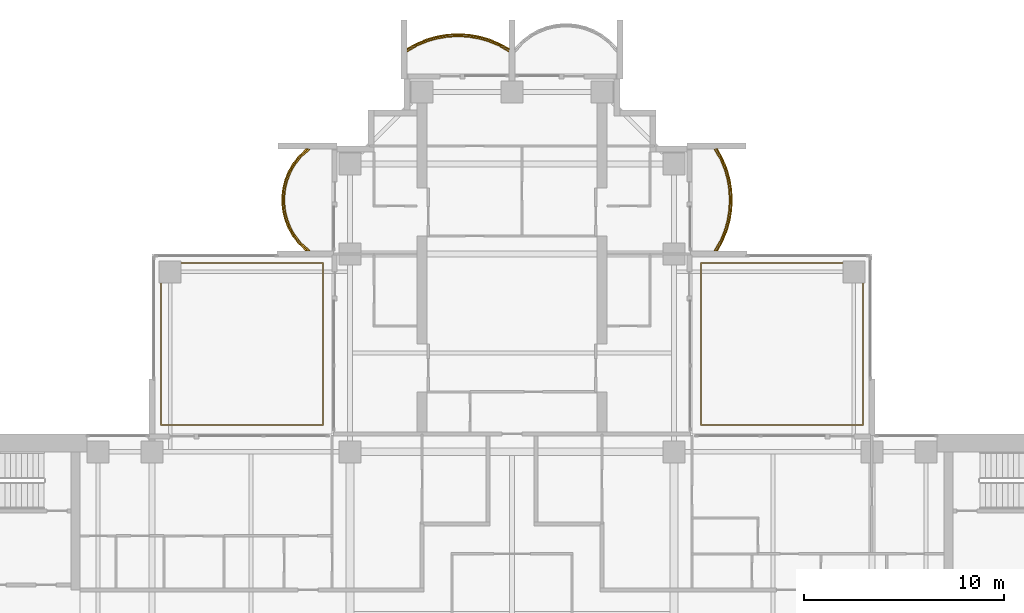
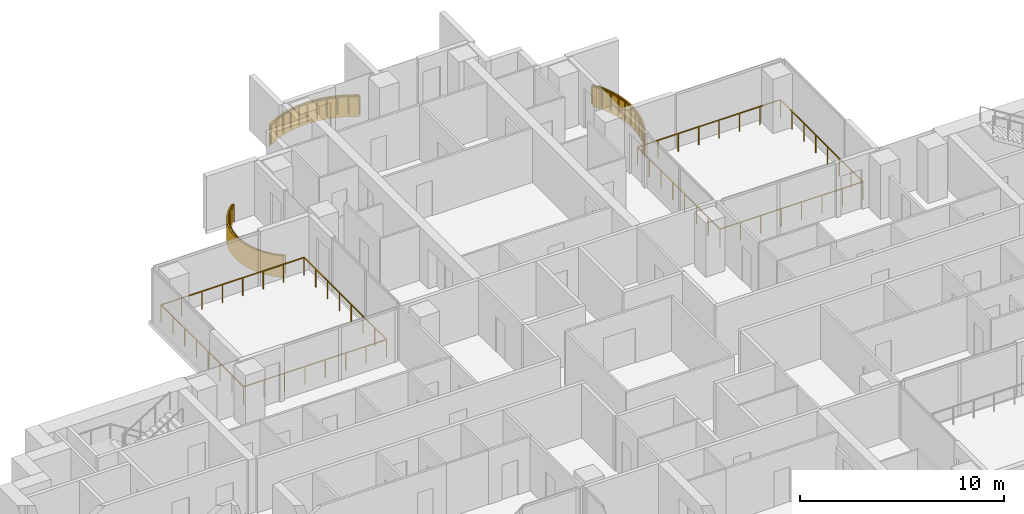
# One storey, part 18 of 19: 5 railings, 3 coverings.
"""IFC4 building model written with IfcOpenShell, lengths in metres."""

from ifc_helpers import new_model, si_unit, direction, frame, origin, origin_2d, place, context, subcontext, project, spatial, polyline, rectangle, outline, extrude, material, layer, layer_set, type_object, element, save


model = new_model("IFC4")

# Units and contexts
model_context = context("Model", 3, precision=1e-05, world=origin(), true_north=direction((0.0, 1.0)))
body_context = subcontext(model_context, "Body", "Model", "MODEL_VIEW")
ifc_project = project(units=[si_unit("LENGTHUNIT", "METRE"), si_unit("AREAUNIT", "SQUARE_METRE"), si_unit("VOLUMEUNIT", "CUBIC_METRE"), si_unit("PLANEANGLEUNIT", "RADIAN"), si_unit("MASSUNIT", "GRAM", prefix="KILO")], contexts=[model_context])

# Site, building, storey
site_placement = place(None, origin())
site = spatial("IfcSite", under=ifc_project, at=site_placement, CompositionType="ELEMENT")
building_placement = place(site_placement, origin())
building = spatial("IfcBuilding", under=site, at=building_placement, Name="Perihelion Cross Residences", CompositionType="ELEMENT")
storey_placement = place(building_placement, frame((0.0, 0.0, 144.39990234375)))
storey = spatial("IfcBuildingStorey", under=building, at=storey_placement, Name="L35", CompositionType="ELEMENT", Elevation=144.39990234375)

# Coverings
ifc_material_1 = material(Name="Bronze anodised aluminium", Category="aluminium")
ifc_layer = layer(ifc_material_1, 0.070068359375)
ifc_layer_set = layer_set([ifc_layer], Name="Balcony fascia 1300")
covering_type = type_object("IfcCoveringType", Name="Balcony fascia 1300", PredefinedType="CLADDING", material=ifc_layer_set)
covering_1_placement = place(storey_placement, frame((0.0, 0.0, -0.199951171875)))
element("IfcCovering", 1, at=covering_1_placement, inside=storey, type_object=covering_type, Name="Fascia BF1 L35 north side east bay 2", PredefinedType="CLADDING", context=body_context, shape_type="SweptSolid", body=[
    extrude(outline(polyline([(10.54833984375, 18.629638671875), (10.7607421875, 19.147216796875), (10.906494140625, 19.664794921875), (10.991943359375, 20.182373046875), (11.02001953125, 20.699951171875), (10.991943359375, 21.217529296875), (10.906494140625, 21.735107421875), (10.7607421875, 22.2529296875), (10.54833984375, 22.7705078125), (10.2802734375, 23.25), (10.199951171875, 23.25), (10.4853515625, 22.739990234375), (10.694580078125, 22.22998046875), (10.838134765625, 21.719970703125), (10.92236328125, 21.2099609375), (10.949951171875, 20.699951171875), (10.92236328125, 20.18994140625), (10.838134765625, 19.679931640625), (10.694580078125, 19.169921875), (10.4853515625, 18.659912109375), (10.199951171875, 18.14990234375), (10.2802734375, 18.14990234375), (10.54833984375, 18.629638671875)])), origin(), (0.0, 0.0, 1.0), 1.300048828125),
])
covering_2_placement = place(storey_placement, frame((0.0, 0.0, -0.199951171875)))
element("IfcCovering", 2, at=covering_2_placement, inside=storey, type_object=covering_type, Name="Fascia BF1 L35 north tip north bay 2", PredefinedType="CLADDING", context=body_context, shape_type="SweptSolid", body=[
    extrude(outline(polyline([(-0.629638671875, 28.54833984375), (-1.147216796875, 28.7607421875), (-1.664794921875, 28.906494140625), (-2.182373046875, 28.991943359375), (-2.699951171875, 29.02001953125), (-3.217529296875, 28.991943359375), (-3.735107421875, 28.906494140625), (-4.2529296875, 28.7607421875), (-4.7705078125, 28.54833984375), (-5.25, 28.2802734375), (-5.25, 28.199951171875), (-4.739990234375, 28.4853515625), (-4.22998046875, 28.694580078125), (-3.719970703125, 28.838134765625), (-3.2099609375, 28.92236328125), (-2.699951171875, 28.949951171875), (-2.18994140625, 28.92236328125), (-1.679931640625, 28.838134765625), (-1.169921875, 28.694580078125), (-0.659912109375, 28.4853515625), (-0.14990234375, 28.199951171875), (-0.14990234375, 28.2802734375), (-0.629638671875, 28.54833984375)])), origin(), (0.0, 0.0, 1.0), 1.300048828125),
])
covering_3_placement = place(storey_placement, frame((0.0, 0.0, -0.199951171875)))
element("IfcCovering", 3, at=covering_3_placement, inside=storey, type_object=covering_type, Name="Fascia BF1 L35 north side west bay 1", PredefinedType="CLADDING", context=body_context, shape_type="SweptSolid", body=[
    extrude(outline(polyline([(-10.674072265625, 22.90478515625), (-10.982666015625, 22.50390625), (-11.20654296875, 22.10302734375), (-11.364013671875, 21.7021484375), (-11.464599609375, 21.30126953125), (-11.513916015625, 20.900390625), (-11.513916015625, 20.49951171875), (-11.464599609375, 20.0986328125), (-11.364013671875, 19.69775390625), (-11.20654296875, 19.296875), (-10.982666015625, 18.89599609375), (-10.674072265625, 18.4951171875), (-10.302734375, 18.14990234375), (-10.199951171875, 18.14990234375), (-10.622314453125, 18.542236328125), (-10.924072265625, 18.9345703125), (-11.143310546875, 19.326904296875), (-11.29736328125, 19.71923828125), (-11.39599609375, 20.111572265625), (-11.444091796875, 20.50390625), (-11.444091796875, 20.896240234375), (-11.39599609375, 21.28857421875), (-11.29736328125, 21.6806640625), (-11.143310546875, 22.072998046875), (-10.924072265625, 22.46533203125), (-10.622314453125, 22.857666015625), (-10.199951171875, 23.25), (-10.302734375, 23.25), (-10.674072265625, 22.90478515625)])), origin(), (0.0, 0.0, 1.0), 1.300048828125),
])

# Railings
ifc_material_2 = material(Name="Bronze anodised aluminium", Category="aluminium")
railing_type = type_object("IfcRailingType", Name="Balcony guard 1100", PredefinedType="GUARDRAIL", material=ifc_material_2)
railing_1_placement = place(storey_placement, frame((10.139892578125, 18.175048828125, 0.0)))
element("IfcRailing", 4, at=railing_1_placement, inside=storey, type_object=railing_type, Name="Guard GU1 L35 north side east bay 2 balcony", PredefinedType="GUARDRAIL", context=body_context, shape_type="SweptSolid", body=[
    extrude(rectangle(XDim=0.048095703125, YDim=0.048095703125, at=origin_2d()), frame((0.0, 0.0, 1.076171875), z_axis=(0.507266632806, 0.861789164031, 0.0), x_axis=(-0.861789164031, 0.507266632806, 0.0)), (0.0, 0.0, 1.0), 0.562744140625),
    extrude(rectangle(XDim=0.048095703125, YDim=0.048095703125, at=origin_2d()), frame((0.285400390625, 0.48486328125, 1.076171875), z_axis=(0.379546636342, 0.925172605972, 0.0), x_axis=(-0.925172605972, 0.379546636342, 0.0)), (0.0, 0.0, 1.0), 0.55126953125),
    extrude(rectangle(XDim=0.048095703125, YDim=0.048095703125, at=origin_2d()), frame((0.49462890625, 0.994873046875, 1.076171875), z_axis=(0.271372618732, 0.962474364231, 0.0), x_axis=(-0.962474364231, 0.271372618732, 0.0)), (0.0, 0.0, 1.0), 0.52978515625),
    extrude(rectangle(XDim=0.048095703125, YDim=0.048095703125, at=origin_2d()), frame((0.638427734375, 1.5048828125, 1.076171875), z_axis=(0.162483799314, 0.986711211531, 0.0), x_axis=(-0.986711211531, 0.162483799314, 0.0)), (0.0, 0.0, 1.0), 0.516845703125),
    extrude(rectangle(XDim=0.048095703125, YDim=0.048095703125, at=origin_2d()), frame((0.722412109375, 2.014892578125, 1.076171875), z_axis=(0.05401390175, 0.998540183677, 0.0), x_axis=(-0.998540183677, 0.05401390175, 0.0)), (0.0, 0.0, 1.0), 0.5107421875),
    extrude(rectangle(XDim=0.048095703125, YDim=0.048095703125, at=origin_2d()), frame((0.75, 2.52490234375, 1.076171875), z_axis=(-0.05401390175, 0.998540183677, 0.0), x_axis=(-0.998540183677, -0.05401390175, 0.0)), (0.0, 0.0, 1.0), 0.5107421875),
    extrude(rectangle(XDim=0.048095703125, YDim=0.048095703125, at=origin_2d()), frame((0.722412109375, 3.034912109375, 1.076171875), z_axis=(-0.162483799314, 0.986711211531, 0.0), x_axis=(-0.986711211531, -0.162483799314, 0.0)), (0.0, 0.0, 1.0), 0.516845703125),
    extrude(rectangle(XDim=0.048095703125, YDim=0.048095703125, at=origin_2d()), frame((0.638427734375, 3.544921875, 1.076171875), z_axis=(-0.271372618732, 0.962474364231, 0.0), x_axis=(-0.962474364231, -0.271372618732, 0.0)), (0.0, 0.0, 1.0), 0.52978515625),
    extrude(rectangle(XDim=0.048095703125, YDim=0.048095703125, at=origin_2d()), frame((0.49462890625, 4.054931640625, 1.076171875), z_axis=(-0.379546636342, 0.925172605972, 0.0), x_axis=(-0.925172605972, -0.379546636342, 0.0)), (0.0, 0.0, 1.0), 0.55126953125),
    extrude(rectangle(XDim=0.048095703125, YDim=0.048095703125, at=origin_2d()), frame((0.285400390625, 4.56494140625, 1.076171875), z_axis=(-0.507076995033, 0.861900760591, 0.0), x_axis=(-0.861900760591, -0.507076995033, 0.0)), (0.0, 0.0, 1.0), 0.562744140625),
    extrude(rectangle(XDim=0.0419921875, YDim=0.0419921875, at=origin_2d()), origin(), (0.0, 0.0, 1.0), 1.052001953125),
    extrude(rectangle(XDim=0.0419921875, YDim=0.0419921875, at=origin_2d()), frame((0.285400390625, 0.48486328125, 0.0)), (0.0, 0.0, 1.0), 1.052001953125),
    extrude(rectangle(XDim=0.0419921875, YDim=0.0419921875, at=origin_2d()), frame((0.49462890625, 0.994873046875, 0.0)), (0.0, 0.0, 1.0), 1.052001953125),
    extrude(rectangle(XDim=0.0419921875, YDim=0.0419921875, at=origin_2d()), frame((0.638427734375, 1.5048828125, 0.0)), (0.0, 0.0, 1.0), 1.052001953125),
    extrude(rectangle(XDim=0.0419921875, YDim=0.0419921875, at=origin_2d()), frame((0.722412109375, 2.014892578125, 0.0)), (0.0, 0.0, 1.0), 1.052001953125),
    extrude(rectangle(XDim=0.0419921875, YDim=0.0419921875, at=origin_2d()), frame((0.75, 2.52490234375, 0.0)), (0.0, 0.0, 1.0), 1.052001953125),
    extrude(rectangle(XDim=0.0419921875, YDim=0.0419921875, at=origin_2d()), frame((0.722412109375, 3.034912109375, 0.0)), (0.0, 0.0, 1.0), 1.052001953125),
    extrude(rectangle(XDim=0.0419921875, YDim=0.0419921875, at=origin_2d()), frame((0.638427734375, 3.544921875, 0.0)), (0.0, 0.0, 1.0), 1.052001953125),
    extrude(rectangle(XDim=0.0419921875, YDim=0.0419921875, at=origin_2d()), frame((0.49462890625, 4.054931640625, 0.0)), (0.0, 0.0, 1.0), 1.052001953125),
    extrude(rectangle(XDim=0.0419921875, YDim=0.0419921875, at=origin_2d()), frame((0.285400390625, 4.56494140625, 0.0)), (0.0, 0.0, 1.0), 1.052001953125),
    extrude(rectangle(XDim=0.0419921875, YDim=0.0419921875, at=origin_2d()), frame((0.0, 5.050048828125, 0.0)), (0.0, 0.0, 1.0), 1.052001953125),
])
railing_2_placement = place(storey_placement, frame((-0.175048828125, 28.139892578125, 0.0)))
element("IfcRailing", 5, at=railing_2_placement, inside=storey, type_object=railing_type, Name="Guard GU1 L35 north tip north bay 2 balcony", PredefinedType="GUARDRAIL", context=body_context, shape_type="SweptSolid", body=[
    extrude(rectangle(XDim=0.048095703125, YDim=0.048095703125, at=origin_2d()), frame((0.0, 0.0, 1.076171875), z_axis=(-0.861789164031, 0.507266632806, 0.0), x_axis=(-0.507266632806, -0.861789164031, 0.0)), (0.0, 0.0, 1.0), 0.562744140625),
    extrude(rectangle(XDim=0.048095703125, YDim=0.048095703125, at=origin_2d()), frame((-0.48486328125, 0.285400390625, 1.076171875), z_axis=(-0.925172605972, 0.379546636342, 0.0), x_axis=(-0.379546636342, -0.925172605972, 0.0)), (0.0, 0.0, 1.0), 0.55126953125),
    extrude(rectangle(XDim=0.048095703125, YDim=0.048095703125, at=origin_2d()), frame((-0.994873046875, 0.49462890625, 1.076171875), z_axis=(-0.962474364231, 0.271372618732, 0.0), x_axis=(-0.271372618732, -0.962474364231, 0.0)), (0.0, 0.0, 1.0), 0.52978515625),
    extrude(rectangle(XDim=0.048095703125, YDim=0.048095703125, at=origin_2d()), frame((-1.5048828125, 0.638427734375, 1.076171875), z_axis=(-0.986711211531, 0.162483799314, 0.0), x_axis=(-0.162483799314, -0.986711211531, 0.0)), (0.0, 0.0, 1.0), 0.516845703125),
    extrude(rectangle(XDim=0.048095703125, YDim=0.048095703125, at=origin_2d()), frame((-2.014892578125, 0.722412109375, 1.076171875), z_axis=(-0.998540183677, 0.05401390175, 0.0), x_axis=(-0.05401390175, -0.998540183677, 0.0)), (0.0, 0.0, 1.0), 0.5107421875),
    extrude(rectangle(XDim=0.048095703125, YDim=0.048095703125, at=origin_2d()), frame((-2.52490234375, 0.75, 1.076171875), z_axis=(-0.998540183677, -0.05401390175, 0.0), x_axis=(0.05401390175, -0.998540183677, 0.0)), (0.0, 0.0, 1.0), 0.5107421875),
    extrude(rectangle(XDim=0.048095703125, YDim=0.048095703125, at=origin_2d()), frame((-3.034912109375, 0.722412109375, 1.076171875), z_axis=(-0.986711211531, -0.162483799314, 0.0), x_axis=(0.162483799314, -0.986711211531, 0.0)), (0.0, 0.0, 1.0), 0.516845703125),
    extrude(rectangle(XDim=0.048095703125, YDim=0.048095703125, at=origin_2d()), frame((-3.544921875, 0.638427734375, 1.076171875), z_axis=(-0.962474364231, -0.271372618732, 0.0), x_axis=(0.271372618732, -0.962474364231, 0.0)), (0.0, 0.0, 1.0), 0.52978515625),
    extrude(rectangle(XDim=0.048095703125, YDim=0.048095703125, at=origin_2d()), frame((-4.054931640625, 0.49462890625, 1.076171875), z_axis=(-0.925172605972, -0.379546636342, 0.0), x_axis=(0.379546636342, -0.925172605972, 0.0)), (0.0, 0.0, 1.0), 0.55126953125),
    extrude(rectangle(XDim=0.048095703125, YDim=0.048095703125, at=origin_2d()), frame((-4.56494140625, 0.285400390625, 1.076171875), z_axis=(-0.861900760591, -0.507076995033, 0.0), x_axis=(0.507076995033, -0.861900760591, 0.0)), (0.0, 0.0, 1.0), 0.562744140625),
    extrude(rectangle(XDim=0.0419921875, YDim=0.0419921875, at=origin_2d()), origin(), (0.0, 0.0, 1.0), 1.052001953125),
    extrude(rectangle(XDim=0.0419921875, YDim=0.0419921875, at=origin_2d()), frame((-0.48486328125, 0.285400390625, 0.0)), (0.0, 0.0, 1.0), 1.052001953125),
    extrude(rectangle(XDim=0.0419921875, YDim=0.0419921875, at=origin_2d()), frame((-0.994873046875, 0.49462890625, 0.0)), (0.0, 0.0, 1.0), 1.052001953125),
    extrude(rectangle(XDim=0.0419921875, YDim=0.0419921875, at=origin_2d()), frame((-1.5048828125, 0.638427734375, 0.0)), (0.0, 0.0, 1.0), 1.052001953125),
    extrude(rectangle(XDim=0.0419921875, YDim=0.0419921875, at=origin_2d()), frame((-2.014892578125, 0.722412109375, 0.0)), (0.0, 0.0, 1.0), 1.052001953125),
    extrude(rectangle(XDim=0.0419921875, YDim=0.0419921875, at=origin_2d()), frame((-2.52490234375, 0.75, 0.0)), (0.0, 0.0, 1.0), 1.052001953125),
    extrude(rectangle(XDim=0.0419921875, YDim=0.0419921875, at=origin_2d()), frame((-3.034912109375, 0.722412109375, 0.0)), (0.0, 0.0, 1.0), 1.052001953125),
    extrude(rectangle(XDim=0.0419921875, YDim=0.0419921875, at=origin_2d()), frame((-3.544921875, 0.638427734375, 0.0)), (0.0, 0.0, 1.0), 1.052001953125),
    extrude(rectangle(XDim=0.0419921875, YDim=0.0419921875, at=origin_2d()), frame((-4.054931640625, 0.49462890625, 0.0)), (0.0, 0.0, 1.0), 1.052001953125),
    extrude(rectangle(XDim=0.0419921875, YDim=0.0419921875, at=origin_2d()), frame((-4.56494140625, 0.285400390625, 0.0)), (0.0, 0.0, 1.0), 1.052001953125),
    extrude(rectangle(XDim=0.0419921875, YDim=0.0419921875, at=origin_2d()), frame((-5.050048828125, 0.0, 0.0)), (0.0, 0.0, 1.0), 1.052001953125),
])
railing_3_placement = place(storey_placement, frame((-10.139892578125, 23.22509765625, 0.0)))
element("IfcRailing", 6, at=railing_3_placement, inside=storey, type_object=railing_type, Name="Guard GU1 L35 north side west bay 1 balcony", PredefinedType="GUARDRAIL", context=body_context, shape_type="SweptSolid", body=[
    extrude(rectangle(XDim=0.048095703125, YDim=0.048095703125, at=origin_2d()), frame((0.0, 0.0, 1.076171875), z_axis=(-0.754464673757, -0.656340655493, 0.0), x_axis=(0.656340655493, -0.754464673757, 0.0)), (0.0, 0.0, 1.0), 0.559814453125),
    extrude(rectangle(XDim=0.048095703125, YDim=0.048095703125, at=origin_2d()), frame((-0.42236328125, -0.367431640625, 1.076171875), z_axis=(-0.60966308455, -0.792660660899, 0.0), x_axis=(0.792660660899, -0.60966308455, 0.0)), (0.0, 0.0, 1.0), 0.494873046875),
    extrude(rectangle(XDim=0.048095703125, YDim=0.048095703125, at=origin_2d()), frame((-0.72412109375, -0.759765625, 1.076171875), z_axis=(-0.487809182674, -0.872950285698, 0.0), x_axis=(0.872950285698, -0.487809182674, 0.0)), (0.0, 0.0, 1.0), 0.449462890625),
    extrude(rectangle(XDim=0.048095703125, YDim=0.048095703125, at=origin_2d()), frame((-0.943359375, -1.152099609375, 1.076171875), z_axis=(-0.365491079925, -0.930814842219, 0.0), x_axis=(0.930814842219, -0.365491079925, 0.0)), (0.0, 0.0, 1.0), 0.42138671875),
    extrude(rectangle(XDim=0.048095703125, YDim=0.048095703125, at=origin_2d()), frame((-1.097412109375, -1.54443359375, 1.076171875), z_axis=(-0.243956193074, -0.969786252666, 0.0), x_axis=(0.969786252666, -0.243956193074, 0.0)), (0.0, 0.0, 1.0), 0.404296875),
    extrude(rectangle(XDim=0.048095703125, YDim=0.048095703125, at=origin_2d()), frame((-1.196044921875, -1.9365234375, 1.076171875), z_axis=(-0.121677797999, -0.992569651699, 0.0), x_axis=(0.992569651699, -0.121677797999, 0.0)), (0.0, 0.0, 1.0), 0.395263671875),
    extrude(rectangle(XDim=0.048095703125, YDim=0.048095703125, at=origin_2d()), frame((-1.244140625, -2.328857421875, 1.076171875), z_axis=(0.0, -1.0, 0.0), x_axis=(1.0, 0.0, 0.0)), (0.0, 0.0, 1.0), 0.392333984375),
    extrude(rectangle(XDim=0.048095703125, YDim=0.048095703125, at=origin_2d()), frame((-1.244140625, -2.72119140625, 1.076171875), z_axis=(0.121677797999, -0.992569651699, 0.0), x_axis=(0.992569651699, 0.121677797999, 0.0)), (0.0, 0.0, 1.0), 0.395263671875),
    extrude(rectangle(XDim=0.048095703125, YDim=0.048095703125, at=origin_2d()), frame((-1.196044921875, -3.113525390625, 1.076171875), z_axis=(0.243813411509, -0.969822159145, 0.0), x_axis=(0.969822159145, 0.243813411509, 0.0)), (0.0, 0.0, 1.0), 0.404541015625),
    extrude(rectangle(XDim=0.048095703125, YDim=0.048095703125, at=origin_2d()), frame((-1.097412109375, -3.505859375, 1.076171875), z_axis=(0.365491079925, -0.930814842219, 0.0), x_axis=(0.930814842219, 0.365491079925, 0.0)), (0.0, 0.0, 1.0), 0.42138671875),
    extrude(rectangle(XDim=0.048095703125, YDim=0.048095703125, at=origin_2d()), frame((-0.943359375, -3.898193359375, 1.076171875), z_axis=(0.487809182674, -0.872950285698, 0.0), x_axis=(0.872950285698, 0.487809182674, 0.0)), (0.0, 0.0, 1.0), 0.449462890625),
    extrude(rectangle(XDim=0.048095703125, YDim=0.048095703125, at=origin_2d()), frame((-0.72412109375, -4.29052734375, 1.076171875), z_axis=(0.60966308455, -0.792660660899, 0.0), x_axis=(0.792660660899, 0.60966308455, 0.0)), (0.0, 0.0, 1.0), 0.494873046875),
    extrude(rectangle(XDim=0.048095703125, YDim=0.048095703125, at=origin_2d()), frame((-0.42236328125, -4.682861328125, 1.076171875), z_axis=(0.754680648599, -0.656092309534, 0.0), x_axis=(0.656092309534, 0.754680648599, 0.0)), (0.0, 0.0, 1.0), 0.5595703125),
    extrude(rectangle(XDim=0.0419921875, YDim=0.0419921875, at=origin_2d()), origin(), (0.0, 0.0, 1.0), 1.052001953125),
    extrude(rectangle(XDim=0.0419921875, YDim=0.0419921875, at=origin_2d()), frame((-0.42236328125, -0.367431640625, 0.0)), (0.0, 0.0, 1.0), 1.052001953125),
    extrude(rectangle(XDim=0.0419921875, YDim=0.0419921875, at=origin_2d()), frame((-0.72412109375, -0.759765625, 0.0)), (0.0, 0.0, 1.0), 1.052001953125),
    extrude(rectangle(XDim=0.0419921875, YDim=0.0419921875, at=origin_2d()), frame((-0.943359375, -1.152099609375, 0.0)), (0.0, 0.0, 1.0), 1.052001953125),
    extrude(rectangle(XDim=0.0419921875, YDim=0.0419921875, at=origin_2d()), frame((-1.097412109375, -1.54443359375, 0.0)), (0.0, 0.0, 1.0), 1.052001953125),
    extrude(rectangle(XDim=0.0419921875, YDim=0.0419921875, at=origin_2d()), frame((-1.196044921875, -1.9365234375, 0.0)), (0.0, 0.0, 1.0), 1.052001953125),
    extrude(rectangle(XDim=0.0419921875, YDim=0.0419921875, at=origin_2d()), frame((-1.244140625, -2.328857421875, 0.0)), (0.0, 0.0, 1.0), 1.052001953125),
    extrude(rectangle(XDim=0.0419921875, YDim=0.0419921875, at=origin_2d()), frame((-1.244140625, -2.72119140625, 0.0)), (0.0, 0.0, 1.0), 1.052001953125),
    extrude(rectangle(XDim=0.0419921875, YDim=0.0419921875, at=origin_2d()), frame((-1.196044921875, -3.113525390625, 0.0)), (0.0, 0.0, 1.0), 1.052001953125),
    extrude(rectangle(XDim=0.0419921875, YDim=0.0419921875, at=origin_2d()), frame((-1.097412109375, -3.505859375, 0.0)), (0.0, 0.0, 1.0), 1.052001953125),
    extrude(rectangle(XDim=0.0419921875, YDim=0.0419921875, at=origin_2d()), frame((-0.943359375, -3.898193359375, 0.0)), (0.0, 0.0, 1.0), 1.052001953125),
    extrude(rectangle(XDim=0.0419921875, YDim=0.0419921875, at=origin_2d()), frame((-0.72412109375, -4.29052734375, 0.0)), (0.0, 0.0, 1.0), 1.052001953125),
    extrude(rectangle(XDim=0.0419921875, YDim=0.0419921875, at=origin_2d()), frame((-0.42236328125, -4.682861328125, 0.0)), (0.0, 0.0, 1.0), 1.052001953125),
    extrude(rectangle(XDim=0.0419921875, YDim=0.0419921875, at=origin_2d()), frame((0.0, -5.050048828125, 0.0)), (0.0, 0.0, 1.0), 1.052001953125),
])
railing_4_placement = place(storey_placement, frame((17.550048828125, 9.449951171875, 0.0)))
element("IfcRailing", 7, at=railing_4_placement, inside=storey, type_object=railing_type, Name="Guard GU1 L35 pocket north-east 1", PredefinedType="GUARDRAIL", context=body_context, shape_type="SweptSolid", body=[
    extrude(rectangle(XDim=0.048095703125, YDim=0.048095703125, at=origin_2d()), frame((0.0, 0.0, 1.076171875), z_axis=(-1.0, 0.0, 0.0), x_axis=(0.0, -1.0, 0.0)), (0.0, 0.0, 1.0), 8.10009765625),
    extrude(rectangle(XDim=0.048095703125, YDim=0.048095703125, at=origin_2d()), frame((-8.10009765625, 0.0, 1.076171875), z_axis=(0.0, 1.0, 0.0), x_axis=(-1.0, 0.0, 0.0)), (0.0, 0.0, 1.0), 8.10009765625),
    extrude(rectangle(XDim=0.048095703125, YDim=0.048095703125, at=origin_2d()), frame((-8.10009765625, 8.10009765625, 1.076171875), z_axis=(1.0, 0.0, 0.0), x_axis=(0.0, 1.0, 0.0)), (0.0, 0.0, 1.0), 8.10009765625),
    extrude(rectangle(XDim=0.048095703125, YDim=0.048095703125, at=origin_2d()), frame((0.0, 8.10009765625, 1.076171875), z_axis=(0.0, -1.0, 0.0), x_axis=(1.0, 0.0, 0.0)), (0.0, 0.0, 1.0), 8.10009765625),
    extrude(rectangle(XDim=0.0419921875, YDim=0.0419921875, at=origin_2d()), origin(), (0.0, 0.0, 1.0), 1.052001953125),
    extrude(rectangle(XDim=0.0419921875, YDim=0.0419921875, at=origin_2d()), frame((-1.1572265625, 0.0, 0.0)), (0.0, 0.0, 1.0), 1.052001953125),
    extrude(rectangle(XDim=0.0419921875, YDim=0.0419921875, at=origin_2d()), frame((-2.314208984375, 0.0, 0.0)), (0.0, 0.0, 1.0), 1.052001953125),
    extrude(rectangle(XDim=0.0419921875, YDim=0.0419921875, at=origin_2d()), frame((-3.471435546875, 0.0, 0.0)), (0.0, 0.0, 1.0), 1.052001953125),
    extrude(rectangle(XDim=0.0419921875, YDim=0.0419921875, at=origin_2d()), frame((-4.628662109375, 0.0, 0.0)), (0.0, 0.0, 1.0), 1.052001953125),
    extrude(rectangle(XDim=0.0419921875, YDim=0.0419921875, at=origin_2d()), frame((-5.785888671875, 0.0, 0.0)), (0.0, 0.0, 1.0), 1.052001953125),
    extrude(rectangle(XDim=0.0419921875, YDim=0.0419921875, at=origin_2d()), frame((-6.94287109375, 0.0, 0.0)), (0.0, 0.0, 1.0), 1.052001953125),
    extrude(rectangle(XDim=0.0419921875, YDim=0.0419921875, at=origin_2d()), frame((-8.10009765625, 0.0, 0.0)), (0.0, 0.0, 1.0), 1.052001953125),
    extrude(rectangle(XDim=0.0419921875, YDim=0.0419921875, at=origin_2d()), frame((-8.10009765625, 1.1572265625, 0.0)), (0.0, 0.0, 1.0), 1.052001953125),
    extrude(rectangle(XDim=0.0419921875, YDim=0.0419921875, at=origin_2d()), frame((-8.10009765625, 2.314208984375, 0.0)), (0.0, 0.0, 1.0), 1.052001953125),
    extrude(rectangle(XDim=0.0419921875, YDim=0.0419921875, at=origin_2d()), frame((-8.10009765625, 3.471435546875, 0.0)), (0.0, 0.0, 1.0), 1.052001953125),
    extrude(rectangle(XDim=0.0419921875, YDim=0.0419921875, at=origin_2d()), frame((-8.10009765625, 4.628662109375, 0.0)), (0.0, 0.0, 1.0), 1.052001953125),
    extrude(rectangle(XDim=0.0419921875, YDim=0.0419921875, at=origin_2d()), frame((-8.10009765625, 5.785888671875, 0.0)), (0.0, 0.0, 1.0), 1.052001953125),
    extrude(rectangle(XDim=0.0419921875, YDim=0.0419921875, at=origin_2d()), frame((-8.10009765625, 6.94287109375, 0.0)), (0.0, 0.0, 1.0), 1.052001953125),
    extrude(rectangle(XDim=0.0419921875, YDim=0.0419921875, at=origin_2d()), frame((-8.10009765625, 8.10009765625, 0.0)), (0.0, 0.0, 1.0), 1.052001953125),
    extrude(rectangle(XDim=0.0419921875, YDim=0.0419921875, at=origin_2d()), frame((-6.94287109375, 8.10009765625, 0.0)), (0.0, 0.0, 1.0), 1.052001953125),
    extrude(rectangle(XDim=0.0419921875, YDim=0.0419921875, at=origin_2d()), frame((-5.785888671875, 8.10009765625, 0.0)), (0.0, 0.0, 1.0), 1.052001953125),
    extrude(rectangle(XDim=0.0419921875, YDim=0.0419921875, at=origin_2d()), frame((-4.628662109375, 8.10009765625, 0.0)), (0.0, 0.0, 1.0), 1.052001953125),
    extrude(rectangle(XDim=0.0419921875, YDim=0.0419921875, at=origin_2d()), frame((-3.471435546875, 8.10009765625, 0.0)), (0.0, 0.0, 1.0), 1.052001953125),
    extrude(rectangle(XDim=0.0419921875, YDim=0.0419921875, at=origin_2d()), frame((-2.314208984375, 8.10009765625, 0.0)), (0.0, 0.0, 1.0), 1.052001953125),
    extrude(rectangle(XDim=0.0419921875, YDim=0.0419921875, at=origin_2d()), frame((-1.1572265625, 8.10009765625, 0.0)), (0.0, 0.0, 1.0), 1.052001953125),
    extrude(rectangle(XDim=0.0419921875, YDim=0.0419921875, at=origin_2d()), frame((0.0, 8.10009765625, 0.0)), (0.0, 0.0, 1.0), 1.052001953125),
    extrude(rectangle(XDim=0.0419921875, YDim=0.0419921875, at=origin_2d()), frame((0.0, 6.94287109375, 0.0)), (0.0, 0.0, 1.0), 1.052001953125),
    extrude(rectangle(XDim=0.0419921875, YDim=0.0419921875, at=origin_2d()), frame((0.0, 5.785888671875, 0.0)), (0.0, 0.0, 1.0), 1.052001953125),
    extrude(rectangle(XDim=0.0419921875, YDim=0.0419921875, at=origin_2d()), frame((0.0, 4.628662109375, 0.0)), (0.0, 0.0, 1.0), 1.052001953125),
    extrude(rectangle(XDim=0.0419921875, YDim=0.0419921875, at=origin_2d()), frame((0.0, 3.471435546875, 0.0)), (0.0, 0.0, 1.0), 1.052001953125),
    extrude(rectangle(XDim=0.0419921875, YDim=0.0419921875, at=origin_2d()), frame((0.0, 2.314208984375, 0.0)), (0.0, 0.0, 1.0), 1.052001953125),
    extrude(rectangle(XDim=0.0419921875, YDim=0.0419921875, at=origin_2d()), frame((0.0, 1.1572265625, 0.0)), (0.0, 0.0, 1.0), 1.052001953125),
])
railing_5_placement = place(storey_placement, frame((-9.449951171875, 9.449951171875, 0.0)))
element("IfcRailing", 8, at=railing_5_placement, inside=storey, type_object=railing_type, Name="Guard GU1 L35 pocket north-west 1", PredefinedType="GUARDRAIL", context=body_context, shape_type="SweptSolid", body=[
    extrude(rectangle(XDim=0.048095703125, YDim=0.048095703125, at=origin_2d()), frame((0.0, 0.0, 1.076171875), z_axis=(-1.0, 0.0, 0.0), x_axis=(0.0, -1.0, 0.0)), (0.0, 0.0, 1.0), 8.10009765625),
    extrude(rectangle(XDim=0.048095703125, YDim=0.048095703125, at=origin_2d()), frame((-8.10009765625, 0.0, 1.076171875), z_axis=(0.0, 1.0, 0.0), x_axis=(-1.0, 0.0, 0.0)), (0.0, 0.0, 1.0), 8.10009765625),
    extrude(rectangle(XDim=0.048095703125, YDim=0.048095703125, at=origin_2d()), frame((-8.10009765625, 8.10009765625, 1.076171875), z_axis=(1.0, 0.0, 0.0), x_axis=(0.0, 1.0, 0.0)), (0.0, 0.0, 1.0), 8.10009765625),
    extrude(rectangle(XDim=0.048095703125, YDim=0.048095703125, at=origin_2d()), frame((0.0, 8.10009765625, 1.076171875), z_axis=(0.0, -1.0, 0.0), x_axis=(1.0, 0.0, 0.0)), (0.0, 0.0, 1.0), 8.10009765625),
    extrude(rectangle(XDim=0.0419921875, YDim=0.0419921875, at=origin_2d()), origin(), (0.0, 0.0, 1.0), 1.052001953125),
    extrude(rectangle(XDim=0.0419921875, YDim=0.0419921875, at=origin_2d()), frame((-1.1572265625, 0.0, 0.0)), (0.0, 0.0, 1.0), 1.052001953125),
    extrude(rectangle(XDim=0.0419921875, YDim=0.0419921875, at=origin_2d()), frame((-2.314208984375, 0.0, 0.0)), (0.0, 0.0, 1.0), 1.052001953125),
    extrude(rectangle(XDim=0.0419921875, YDim=0.0419921875, at=origin_2d()), frame((-3.471435546875, 0.0, 0.0)), (0.0, 0.0, 1.0), 1.052001953125),
    extrude(rectangle(XDim=0.0419921875, YDim=0.0419921875, at=origin_2d()), frame((-4.628662109375, 0.0, 0.0)), (0.0, 0.0, 1.0), 1.052001953125),
    extrude(rectangle(XDim=0.0419921875, YDim=0.0419921875, at=origin_2d()), frame((-5.785888671875, 0.0, 0.0)), (0.0, 0.0, 1.0), 1.052001953125),
    extrude(rectangle(XDim=0.0419921875, YDim=0.0419921875, at=origin_2d()), frame((-6.94287109375, 0.0, 0.0)), (0.0, 0.0, 1.0), 1.052001953125),
    extrude(rectangle(XDim=0.0419921875, YDim=0.0419921875, at=origin_2d()), frame((-8.10009765625, 0.0, 0.0)), (0.0, 0.0, 1.0), 1.052001953125),
    extrude(rectangle(XDim=0.0419921875, YDim=0.0419921875, at=origin_2d()), frame((-8.10009765625, 1.1572265625, 0.0)), (0.0, 0.0, 1.0), 1.052001953125),
    extrude(rectangle(XDim=0.0419921875, YDim=0.0419921875, at=origin_2d()), frame((-8.10009765625, 2.314208984375, 0.0)), (0.0, 0.0, 1.0), 1.052001953125),
    extrude(rectangle(XDim=0.0419921875, YDim=0.0419921875, at=origin_2d()), frame((-8.10009765625, 3.471435546875, 0.0)), (0.0, 0.0, 1.0), 1.052001953125),
    extrude(rectangle(XDim=0.0419921875, YDim=0.0419921875, at=origin_2d()), frame((-8.10009765625, 4.628662109375, 0.0)), (0.0, 0.0, 1.0), 1.052001953125),
    extrude(rectangle(XDim=0.0419921875, YDim=0.0419921875, at=origin_2d()), frame((-8.10009765625, 5.785888671875, 0.0)), (0.0, 0.0, 1.0), 1.052001953125),
    extrude(rectangle(XDim=0.0419921875, YDim=0.0419921875, at=origin_2d()), frame((-8.10009765625, 6.94287109375, 0.0)), (0.0, 0.0, 1.0), 1.052001953125),
    extrude(rectangle(XDim=0.0419921875, YDim=0.0419921875, at=origin_2d()), frame((-8.10009765625, 8.10009765625, 0.0)), (0.0, 0.0, 1.0), 1.052001953125),
    extrude(rectangle(XDim=0.0419921875, YDim=0.0419921875, at=origin_2d()), frame((-6.94287109375, 8.10009765625, 0.0)), (0.0, 0.0, 1.0), 1.052001953125),
    extrude(rectangle(XDim=0.0419921875, YDim=0.0419921875, at=origin_2d()), frame((-5.785888671875, 8.10009765625, 0.0)), (0.0, 0.0, 1.0), 1.052001953125),
    extrude(rectangle(XDim=0.0419921875, YDim=0.0419921875, at=origin_2d()), frame((-4.628662109375, 8.10009765625, 0.0)), (0.0, 0.0, 1.0), 1.052001953125),
    extrude(rectangle(XDim=0.0419921875, YDim=0.0419921875, at=origin_2d()), frame((-3.471435546875, 8.10009765625, 0.0)), (0.0, 0.0, 1.0), 1.052001953125),
    extrude(rectangle(XDim=0.0419921875, YDim=0.0419921875, at=origin_2d()), frame((-2.314208984375, 8.10009765625, 0.0)), (0.0, 0.0, 1.0), 1.052001953125),
    extrude(rectangle(XDim=0.0419921875, YDim=0.0419921875, at=origin_2d()), frame((-1.1572265625, 8.10009765625, 0.0)), (0.0, 0.0, 1.0), 1.052001953125),
    extrude(rectangle(XDim=0.0419921875, YDim=0.0419921875, at=origin_2d()), frame((0.0, 8.10009765625, 0.0)), (0.0, 0.0, 1.0), 1.052001953125),
    extrude(rectangle(XDim=0.0419921875, YDim=0.0419921875, at=origin_2d()), frame((0.0, 6.94287109375, 0.0)), (0.0, 0.0, 1.0), 1.052001953125),
    extrude(rectangle(XDim=0.0419921875, YDim=0.0419921875, at=origin_2d()), frame((0.0, 5.785888671875, 0.0)), (0.0, 0.0, 1.0), 1.052001953125),
    extrude(rectangle(XDim=0.0419921875, YDim=0.0419921875, at=origin_2d()), frame((0.0, 4.628662109375, 0.0)), (0.0, 0.0, 1.0), 1.052001953125),
    extrude(rectangle(XDim=0.0419921875, YDim=0.0419921875, at=origin_2d()), frame((0.0, 3.471435546875, 0.0)), (0.0, 0.0, 1.0), 1.052001953125),
    extrude(rectangle(XDim=0.0419921875, YDim=0.0419921875, at=origin_2d()), frame((0.0, 2.314208984375, 0.0)), (0.0, 0.0, 1.0), 1.052001953125),
    extrude(rectangle(XDim=0.0419921875, YDim=0.0419921875, at=origin_2d()), frame((0.0, 1.1572265625, 0.0)), (0.0, 0.0, 1.0), 1.052001953125),
])

save(model, "model.ifc")
